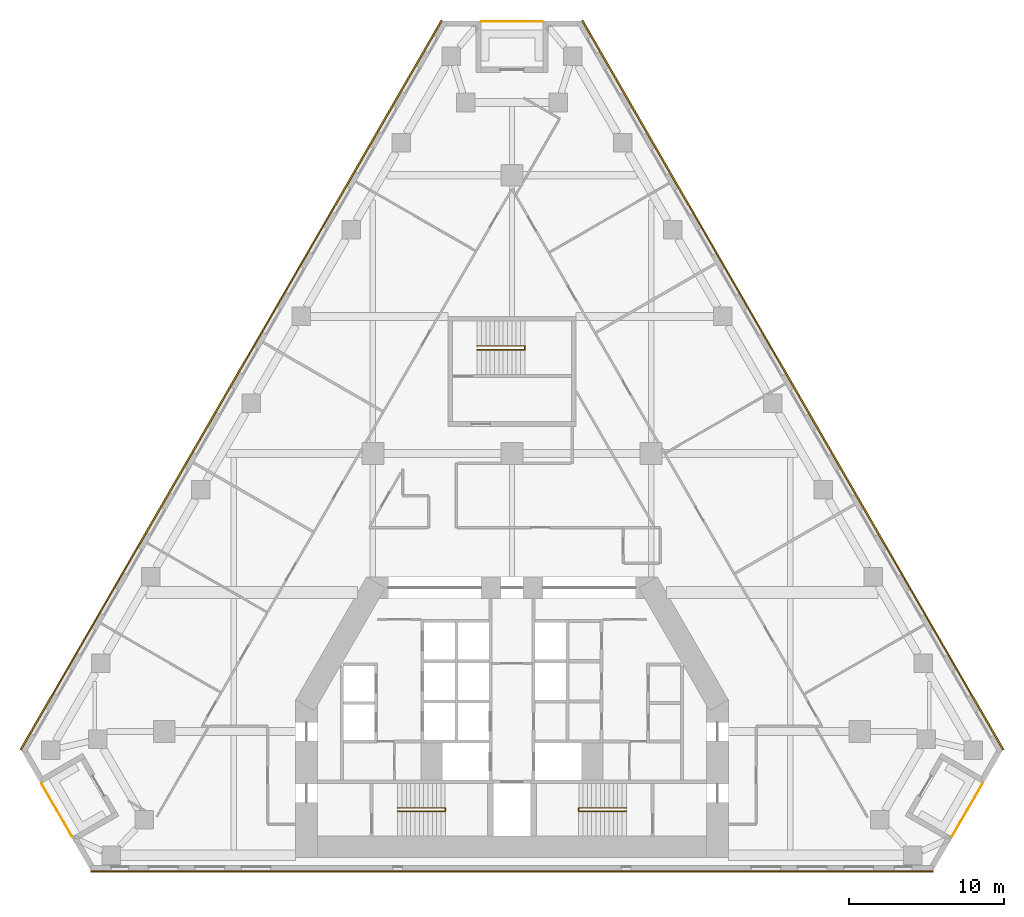
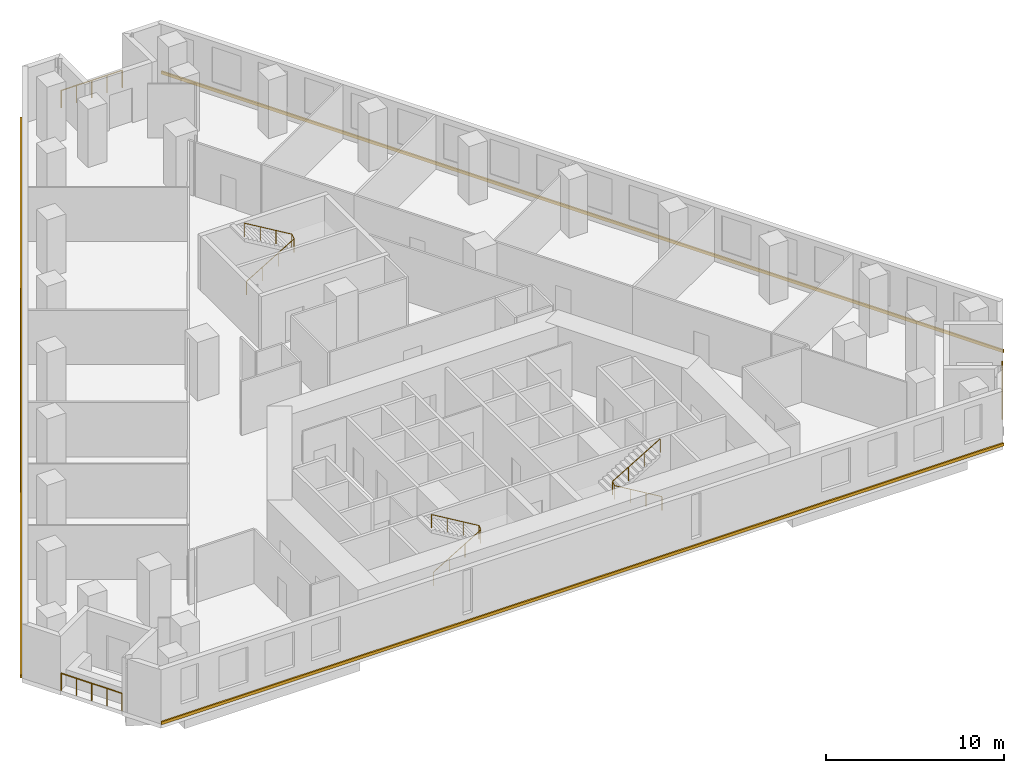
# One storey, part 11 of 11: 6 railings, 3 coverings.
"""IFC4 building model written with IfcOpenShell, lengths in metres."""

import ifcopenshell
import ifcopenshell.guid

model = None  # the IFC model being written
_history = None  # IfcOwnerHistory: only IFC2X3 demands one
_inside = {}  # id of a spatial element -> (the spatial element, [elements in it])
_under = {}  # id of a project, library or spatial element -> (it, [spatial elements below it])
_declared = {}  # id of a project -> (the project, [libraries it declares])
_typed = {}  # id of a type object -> (the type object, [elements of that type])
_made_of = {}  # id of a material, layer set ... -> (it, [elements and type objects made of it])


def new_model(schema):
    """Start an empty IFC model of exactly this schema.

    Asked for "IFC4X3", IfcOpenShell would pick the latest addendum, in which some entities
    have other attributes; the version numbers below select the first issue.
    IFC2X3 requires an IfcOwnerHistory on every rooted entity: one is made here for all.
    """
    global model, _history
    if schema == "IFC4X3":
        model = ifcopenshell.file(schema_version=(4, 3, 0, 0))
    else:
        model = ifcopenshell.file(schema=schema)
    _inside.clear()
    _under.clear()
    _declared.clear()
    _typed.clear()
    _made_of.clear()
    _history = None
    if model.schema == "IFC2X3":
        org = make("IfcOrganization", Name="unknown")
        user = make(
            "IfcPersonAndOrganization",
            ThePerson=make("IfcPerson", FamilyName="unknown"),
            TheOrganization=org,
        )
        app = make(
            "IfcApplication",
            ApplicationDeveloper=org,
            Version="unknown",
            ApplicationFullName="unknown",
            ApplicationIdentifier="unknown",
        )
        _history = make(
            "IfcOwnerHistory",
            OwningUser=user,
            OwningApplication=app,
            ChangeAction="ADDED",
            CreationDate=0,
        )
    return model


def make(cls, **values):
    """One entity of the class cls with the attributes given. An attribute that is None is left unset."""
    return model.create_entity(
        cls, **{name: value for name, value in values.items() if value is not None}
    )


def rooted(cls, **values):
    """An entity with a GlobalId (a new one), such as an element, a storey or a relation."""
    return make(cls, GlobalId=ifcopenshell.guid.new(), OwnerHistory=_history, **values)


def si_unit(unit_type, name, prefix=None):
    """IfcSIUnit, for example si_unit("LENGTHUNIT", "METRE", prefix="MILLI")."""
    return make("IfcSIUnit", UnitType=unit_type, Prefix=prefix, Name=name)


def assignment(units):
    """IfcUnitAssignment: the units of a project."""
    return None if units is None else make("IfcUnitAssignment", Units=units)


def point(xyz):
    """IfcCartesianPoint."""
    return None if xyz is None else make("IfcCartesianPoint", Coordinates=xyz)


def direction(xyz):
    """IfcDirection."""
    return None if xyz is None else make("IfcDirection", DirectionRatios=xyz)


def frame(location, z_axis=None, x_axis=None):
    """IfcAxis2Placement3D, a coordinate frame: its origin and axes. An axis left out is left unset."""
    return make(
        "IfcAxis2Placement3D",
        Location=point(location),
        Axis=direction(z_axis),
        RefDirection=direction(x_axis),
    )


def frame_2d(location, x_axis=None):
    """IfcAxis2Placement2D, a coordinate frame in the plane: its origin and x axis."""
    return make(
        "IfcAxis2Placement2D", Location=point(location), RefDirection=direction(x_axis)
    )


def origin():
    """The frame at (0, 0, 0) with its axes left unset."""
    return frame((0.0, 0.0, 0.0))


def origin_2d():
    """The frame at (0, 0) in the plane with its x axis left unset."""
    return frame_2d((0.0, 0.0))


def place(relative_to, where):
    """IfcLocalPlacement: puts the frame where relative to a parent placement (None: the world)."""
    return make(
        "IfcLocalPlacement", PlacementRelTo=relative_to, RelativePlacement=where
    )


def context(
    kind, dimensions, precision=None, world=None, true_north=None, identifier=None
):
    """IfcGeometricRepresentationContext, for example the 3D "Model" context."""
    return make(
        "IfcGeometricRepresentationContext",
        ContextIdentifier=identifier,
        ContextType=kind,
        CoordinateSpaceDimension=dimensions,
        Precision=precision,
        WorldCoordinateSystem=world,
        TrueNorth=true_north,
    )


def subcontext(parent, identifier, kind, view, scale=None):
    """IfcGeometricRepresentationSubContext, for example "Body" below "Model"."""
    return make(
        "IfcGeometricRepresentationSubContext",
        ContextIdentifier=identifier,
        ContextType=kind,
        ParentContext=parent,
        TargetScale=scale,
        TargetView=view,
    )


def project(units=None, contexts=None):
    """IfcProject with its units and contexts."""
    return rooted(
        "IfcProject",
        Name="project",
        RepresentationContexts=contexts,
        UnitsInContext=assignment(units),
    )


def spatial(cls, under=None, at=None, **own):
    """A site, building, storey or space (cls), placed at a placement, below another one or the project."""
    s = rooted(cls, ObjectPlacement=at, **own)
    if under is not None:
        _under.setdefault(under.id(), (under, []))[1].append(s)
    return s


def polyline(points):
    """IfcPolyline through the points."""
    return make("IfcPolyline", Points=[point(p) for p in points])


def profile(cls, at=None, kind="AREA", **sizes):
    """A parametric profile (cls). Its sizes go by their IFC names, for example OverallWidth=200.0."""
    return make(cls, ProfileType=kind, Position=at, **sizes)


def circle(**sizes):
    """IfcCircleProfileDef."""
    return profile("IfcCircleProfileDef", **sizes)


def outline(outer, holes=None, kind="AREA"):
    """IfcArbitraryClosedProfileDef: a profile drawn as a closed curve; with holes, ...WithVoids."""
    if holes is None:
        return make("IfcArbitraryClosedProfileDef", ProfileType=kind, OuterCurve=outer)
    return make(
        "IfcArbitraryProfileDefWithVoids",
        ProfileType=kind,
        OuterCurve=outer,
        InnerCurves=holes,
    )


def extrude(swept, where, along, depth):
    """IfcExtrudedAreaSolid: the profile swept, set in the frame where, extruded along a direction by depth."""
    return make(
        "IfcExtrudedAreaSolid",
        SweptArea=swept,
        Position=where,
        ExtrudedDirection=direction(along),
        Depth=depth,
    )


def shape(context_of_items, identifier, shape_type, items):
    """IfcShapeRepresentation: the items that make up one representation, for example the "Body"."""
    return make(
        "IfcShapeRepresentation",
        ContextOfItems=context_of_items,
        RepresentationIdentifier=identifier,
        RepresentationType=shape_type,
        Items=items,
    )


def material(Name=None, Category=None):
    """IfcMaterial."""
    return make("IfcMaterial", Name=Name, Category=Category)


def made_of(thing, what):
    """Note that an element or type object is made of a material, layer set ...; save() writes the relation."""
    if what is not None:
        _made_of.setdefault(what.id(), (what, []))[1].append(thing)
    return thing


def type_object(cls, material=None, **own):
    """A type object (cls), such as IfcWallType, which elements share."""
    return made_of(rooted(cls, **own), material)


def element(
    cls,
    number,
    at=None,
    inside=None,
    cuts=None,
    type_object=None,
    material=None,
    context=None,
    identifier="Body",
    shape_type=None,
    held_by="IfcProductDefinitionShape",
    body=None,
    shapes=None,
    **own,
):
    """One element of the class cls, such as IfcWall. Its Tag is "e" and its number.

    at: its placement. inside: the storey or other place that contains it. cuts: it is an
    opening in that element (IfcRelVoidsElement). A single representation is given by context,
    identifier, shape_type and body (its items); several are given by shapes. held_by: the class
    of the entity that holds the representations. save() writes the other relations.
    """
    e = rooted(cls, Tag="e%d" % number, ObjectPlacement=at, **own)
    if body is not None:
        shapes = [shape(context, identifier, shape_type, body)]
    if shapes is not None:
        e.Representation = make(held_by, Representations=shapes)
    if inside is not None:
        _inside.setdefault(inside.id(), (inside, []))[1].append(e)
    if cuts is not None:
        rooted(
            "IfcRelVoidsElement", RelatingBuildingElement=cuts, RelatedOpeningElement=e
        )
    if type_object is not None:
        _typed.setdefault(type_object.id(), (type_object, []))[1].append(e)
    return made_of(e, material)


def aggregate(whole, parts):
    """IfcRelAggregates: a whole, such as a stair, and the parts it consists of."""
    return rooted("IfcRelAggregates", RelatingObject=whole, RelatedObjects=parts)


def save(model, path):
    """Write the relations noted so far, then the file.

    IfcRelAggregates (storeys below a building ...), IfcRelContainedInSpatialStructure (elements
    in a storey), IfcRelDefinesByType, IfcRelAssociatesMaterial and IfcRelDeclares: one each for
    every whole, place, type object, material and project.
    """
    for whole, parts in _under.values():
        aggregate(whole, parts)
    for where, things in _inside.values():
        rooted(
            "IfcRelContainedInSpatialStructure",
            RelatedElements=things,
            RelatingStructure=where,
        )
    for kind, things in _typed.values():
        rooted("IfcRelDefinesByType", RelatedObjects=things, RelatingType=kind)
    for what, things in _made_of.values():
        rooted("IfcRelAssociatesMaterial", RelatedObjects=things, RelatingMaterial=what)
    for by, libraries in _declared.values():
        rooted("IfcRelDeclares", RelatingContext=by, RelatedDefinitions=libraries)
    model.write(path)


model = new_model("IFC4")

# Units and contexts
model_context = context("Model", 3, precision=1e-05, world=origin(), true_north=direction((0.0, 1.0)))
body_context = subcontext(model_context, "Body", "Model", "MODEL_VIEW")
ifc_project = project(units=[si_unit("LENGTHUNIT", "METRE"), si_unit("AREAUNIT", "SQUARE_METRE"), si_unit("VOLUMEUNIT", "CUBIC_METRE"), si_unit("PLANEANGLEUNIT", "RADIAN"), si_unit("MASSUNIT", "GRAM", prefix="KILO")], contexts=[model_context])

# Site, building, storey
site_placement = place(None, origin())
site = spatial("IfcSite", under=ifc_project, at=site_placement, CompositionType="ELEMENT")
building_placement = place(site_placement, origin())
building = spatial("IfcBuilding", under=site, at=building_placement, Name="Fogline Exchange Tower", CompositionType="ELEMENT")
storey_placement = place(building_placement, frame((0.0, 0.0, 56.89990234375)))
storey = spatial("IfcBuildingStorey", under=building, at=storey_placement, Name="L11", CompositionType="ELEMENT", Elevation=56.89990234375)

# Railings
ifc_material_1 = material(Name="Stainless steel 304", Category="steel")
railing_type_1 = type_object("IfcRailingType", Name="G1", PredefinedType="GUARDRAIL", material=ifc_material_1)
railing_1_placement = place(storey_placement, frame((-30.451416015625, 5.635986328125, 0.0)))
element("IfcRailing", 1, at=railing_1_placement, inside=storey, type_object=railing_type_1, Name="Balcony guard L11 SW", PredefinedType="GUARDRAIL", context=body_context, shape_type="SweptSolid", body=[
    extrude(circle(Radius=0.02392578125, at=origin_2d()), frame((0.0, 0.0, 1.17578125), z_axis=(0.500000102728, -0.866025344474, 0.0), x_axis=(0.866025344474, 0.500000102728, 0.0)), (0.0, 0.0, 1.0), 3.9580078125),
    extrude(circle(Radius=0.02099609375, at=origin_2d()), origin(), (0.0, 0.0, 1.0), 1.15185546875),
    extrude(circle(Radius=0.02099609375, at=origin_2d()), frame((0.49462890625, -0.85693359375, 0.0)), (0.0, 0.0, 1.0), 1.15185546875),
    extrude(circle(Radius=0.02099609375, at=origin_2d()), frame((0.989501953125, -1.7138671875, 0.0)), (0.0, 0.0, 1.0), 1.15185546875),
    extrude(circle(Radius=0.02099609375, at=origin_2d()), frame((1.484375, -2.57080078125, 0.0)), (0.0, 0.0, 1.0), 1.15185546875),
    extrude(circle(Radius=0.02099609375, at=origin_2d()), frame((1.97900390625, -3.427734375, 0.0)), (0.0, 0.0, 1.0), 1.15185546875),
])
railing_2_placement = place(storey_placement, frame((28.472412109375, 2.208251953125, 0.0)))
element("IfcRailing", 2, at=railing_2_placement, inside=storey, type_object=railing_type_1, Name="Balcony guard L11 SE", PredefinedType="GUARDRAIL", context=body_context, shape_type="SweptSolid", body=[
    extrude(circle(Radius=0.02392578125, at=origin_2d()), frame((0.0, 0.0, 1.17578125), z_axis=(0.500000102728, 0.866025344474, 0.0), x_axis=(-0.866025344474, 0.500000102728, 0.0)), (0.0, 0.0, 1.0), 3.9580078125),
    extrude(circle(Radius=0.02099609375, at=origin_2d()), origin(), (0.0, 0.0, 1.0), 1.15185546875),
    extrude(circle(Radius=0.02099609375, at=origin_2d()), frame((0.49462890625, 0.85693359375, 0.0)), (0.0, 0.0, 1.0), 1.15185546875),
    extrude(circle(Radius=0.02099609375, at=origin_2d()), frame((0.989501953125, 1.7138671875, 0.0)), (0.0, 0.0, 1.0), 1.15185546875),
    extrude(circle(Radius=0.02099609375, at=origin_2d()), frame((1.484375, 2.57080078125, 0.0)), (0.0, 0.0, 1.0), 1.15185546875),
    extrude(circle(Radius=0.02099609375, at=origin_2d()), frame((1.97900390625, 3.427734375, 0.0)), (0.0, 0.0, 1.0), 1.15185546875),
])
railing_3_placement = place(storey_placement, frame((1.97900390625, 54.95166015625, 0.0)))
element("IfcRailing", 3, at=railing_3_placement, inside=storey, type_object=railing_type_1, Name="Balcony guard L11 N", PredefinedType="GUARDRAIL", context=body_context, shape_type="SweptSolid", body=[
    extrude(circle(Radius=0.02392578125, at=origin_2d()), frame((0.0, 0.0, 1.17578125), z_axis=(-1.0, 0.0, 0.0), x_axis=(0.0, -1.0, 0.0)), (0.0, 0.0, 1.0), 3.9580078125),
    extrude(circle(Radius=0.02099609375, at=origin_2d()), origin(), (0.0, 0.0, 1.0), 1.15185546875),
    extrude(circle(Radius=0.02099609375, at=origin_2d()), frame((-0.989501953125, 0.0, 0.0)), (0.0, 0.0, 1.0), 1.15185546875),
    extrude(circle(Radius=0.02099609375, at=origin_2d()), frame((-1.97900390625, 0.0, 0.0)), (0.0, 0.0, 1.0), 1.15185546875),
    extrude(circle(Radius=0.02099609375, at=origin_2d()), frame((-2.968505859375, 0.0, 0.0)), (0.0, 0.0, 1.0), 1.15185546875),
    extrude(circle(Radius=0.02099609375, at=origin_2d()), frame((-3.9580078125, 0.0, 0.0)), (0.0, 0.0, 1.0), 1.15185546875),
])
ifc_material_2 = material(Name="Steel Q235B", Category="steel")
railing_type_2 = type_object("IfcRailingType", Name="RL-HR", PredefinedType="HANDRAIL", material=ifc_material_2)
railing_4_placement = place(storey_placement, frame((-7.39990234375, 3.85009765625, 0.166748046875)))
element("IfcRailing", 4, at=railing_4_placement, inside=storey, type_object=railing_type_2, Name="Handrail ST1", PredefinedType="HANDRAIL", context=body_context, shape_type="SweptSolid", body=[
    extrude(circle(Radius=0.02392578125, at=origin_2d()), frame((0.0, 0.0, 0.92578125), z_axis=(0.859290745958, 0.0, 0.51148745235), x_axis=(0.0, 1.0, 0.0)), (0.0, 0.0, 1.0), 3.584228515625),
    extrude(circle(Radius=0.02392578125, at=origin_2d()), frame((3.079833984375, 0.0, 2.75927734375), z_axis=(0.0, 0.767990643491, 0.640461061666), x_axis=(-1.0, 0.0, 0.0)), (0.0, 0.0, 1.0), 0.26025390625),
    extrude(circle(Radius=0.02392578125, at=origin_2d()), frame((3.079833984375, 0.199951171875, 2.92578125), z_axis=(-0.859290745958, 0.0, 0.51148745235), x_axis=(0.0, -1.0, 0.0)), (0.0, 0.0, 1.0), 3.584228515625),
    extrude(circle(Radius=0.02099609375, at=origin_2d()), origin(), (0.0, 0.0, 1.0), 0.90185546875),
    extrude(circle(Radius=0.02099609375, at=origin_2d()), frame((1.026611328125, 0.0, 0.611083984375)), (0.0, 0.0, 1.0), 0.90185546875),
    extrude(circle(Radius=0.02099609375, at=origin_2d()), frame((2.05322265625, 0.0, 1.22216796875)), (0.0, 0.0, 1.0), 0.90185546875),
    extrude(circle(Radius=0.02099609375, at=origin_2d()), frame((3.079833984375, 0.0, 1.833251953125)), (0.0, 0.0, 1.0), 0.90185546875),
    extrude(circle(Radius=0.02099609375, at=origin_2d()), frame((3.079833984375, 0.199951171875, 2.0)), (0.0, 0.0, 1.0), 0.90185546875),
    extrude(circle(Radius=0.02099609375, at=origin_2d()), frame((2.05322265625, 0.199951171875, 2.611083984375)), (0.0, 0.0, 1.0), 0.90185546875),
    extrude(circle(Radius=0.02099609375, at=origin_2d()), frame((1.026611328125, 0.199951171875, 3.22216796875)), (0.0, 0.0, 1.0), 0.90185546875),
    extrude(circle(Radius=0.02099609375, at=origin_2d()), frame((0.0, 0.199951171875, 3.833251953125)), (0.0, 0.0, 1.0), 0.90185546875),
])
railing_5_placement = place(storey_placement, frame((7.39990234375, 3.85009765625, 0.166748046875)))
element("IfcRailing", 5, at=railing_5_placement, inside=storey, type_object=railing_type_2, Name="Handrail ST2", PredefinedType="HANDRAIL", context=body_context, shape_type="SweptSolid", body=[
    extrude(circle(Radius=0.02392578125, at=origin_2d()), frame((0.0, 0.0, 0.92578125), z_axis=(-0.859290745958, 0.0, 0.51148745235), x_axis=(0.0, -1.0, 0.0)), (0.0, 0.0, 1.0), 3.584228515625),
    extrude(circle(Radius=0.02392578125, at=origin_2d()), frame((-3.079833984375, 0.0, 2.75927734375), z_axis=(0.0, 0.767990643491, 0.640461061666), x_axis=(-1.0, 0.0, 0.0)), (0.0, 0.0, 1.0), 0.26025390625),
    extrude(circle(Radius=0.02392578125, at=origin_2d()), frame((-3.079833984375, 0.199951171875, 2.92578125), z_axis=(0.859290745958, 0.0, 0.51148745235), x_axis=(0.0, 1.0, 0.0)), (0.0, 0.0, 1.0), 3.584228515625),
    extrude(circle(Radius=0.02099609375, at=origin_2d()), origin(), (0.0, 0.0, 1.0), 0.90185546875),
    extrude(circle(Radius=0.02099609375, at=origin_2d()), frame((-1.026611328125, 0.0, 0.611083984375)), (0.0, 0.0, 1.0), 0.90185546875),
    extrude(circle(Radius=0.02099609375, at=origin_2d()), frame((-2.05322265625, 0.0, 1.22216796875)), (0.0, 0.0, 1.0), 0.90185546875),
    extrude(circle(Radius=0.02099609375, at=origin_2d()), frame((-3.079833984375, 0.0, 1.833251953125)), (0.0, 0.0, 1.0), 0.90185546875),
    extrude(circle(Radius=0.02099609375, at=origin_2d()), frame((-3.079833984375, 0.199951171875, 2.0)), (0.0, 0.0, 1.0), 0.90185546875),
    extrude(circle(Radius=0.02099609375, at=origin_2d()), frame((-2.05322265625, 0.199951171875, 2.611083984375)), (0.0, 0.0, 1.0), 0.90185546875),
    extrude(circle(Radius=0.02099609375, at=origin_2d()), frame((-1.026611328125, 0.199951171875, 3.22216796875)), (0.0, 0.0, 1.0), 0.90185546875),
    extrude(circle(Radius=0.02099609375, at=origin_2d()), frame((0.0, 0.199951171875, 3.833251953125)), (0.0, 0.0, 1.0), 0.90185546875),
])
railing_6_placement = place(storey_placement, frame((-2.25, 33.70703125, 0.166748046875)))
element("IfcRailing", 6, at=railing_6_placement, inside=storey, type_object=railing_type_2, Name="Handrail ST3", PredefinedType="HANDRAIL", context=body_context, shape_type="SweptSolid", body=[
    extrude(circle(Radius=0.02392578125, at=origin_2d()), frame((0.0, 0.0, 0.92578125), z_axis=(0.859308565015, 0.0, 0.511457515432), x_axis=(0.0, 1.0, 0.0)), (0.0, 0.0, 1.0), 3.58447265625),
    extrude(circle(Radius=0.02392578125, at=origin_2d()), frame((3.080078125, 0.0, 2.75927734375), z_axis=(0.0, 0.831925284441, 0.554887665306), x_axis=(-1.0, 0.0, 0.0)), (0.0, 0.0, 1.0), 0.300537109375),
    extrude(circle(Radius=0.02392578125, at=origin_2d()), frame((3.080078125, 0.25, 2.92578125), z_axis=(-0.859308565015, 0.0, 0.511457515432), x_axis=(0.0, -1.0, 0.0)), (0.0, 0.0, 1.0), 3.58447265625),
    extrude(circle(Radius=0.02099609375, at=origin_2d()), origin(), (0.0, 0.0, 1.0), 0.90185546875),
    extrude(circle(Radius=0.02099609375, at=origin_2d()), frame((1.026611328125, 0.0, 0.611083984375)), (0.0, 0.0, 1.0), 0.90185546875),
    extrude(circle(Radius=0.02099609375, at=origin_2d()), frame((2.053466796875, 0.0, 1.22216796875)), (0.0, 0.0, 1.0), 0.90185546875),
    extrude(circle(Radius=0.02099609375, at=origin_2d()), frame((3.080078125, 0.0, 1.833251953125)), (0.0, 0.0, 1.0), 0.90185546875),
    extrude(circle(Radius=0.02099609375, at=origin_2d()), frame((3.080078125, 0.25, 2.0)), (0.0, 0.0, 1.0), 0.90185546875),
    extrude(circle(Radius=0.02099609375, at=origin_2d()), frame((2.053466796875, 0.25, 2.611083984375)), (0.0, 0.0, 1.0), 0.90185546875),
    extrude(circle(Radius=0.02099609375, at=origin_2d()), frame((1.026611328125, 0.25, 3.22216796875)), (0.0, 0.0, 1.0), 0.90185546875),
    extrude(circle(Radius=0.02099609375, at=origin_2d()), frame((0.0, 0.25, 3.833251953125)), (0.0, 0.0, 1.0), 0.90185546875),
])

# Coverings
ifc_material_3 = material(Name="Brick masonry", Category="masonry")
covering_type = type_object("IfcCoveringType", Name="SB1", PredefinedType="CLADDING", material=ifc_material_3)
covering_1_placement = place(storey_placement, origin())
element("IfcCovering", 7, at=covering_1_placement, inside=storey, type_object=covering_type, Name="Stringcourse band L11 S", PredefinedType="CLADDING", context=body_context, shape_type="SweptSolid", body=[
    extrude(outline(polyline([(-27.255126953125, 0.0), (-27.255126953125, -0.10009765625), (27.255126953125, -0.10009765625), (27.255126953125, 0.0), (-27.255126953125, 0.0)])), origin(), (0.0, 0.0, 1.0), 0.2001953125),
])
covering_2_placement = place(storey_placement, origin())
element("IfcCovering", 8, at=covering_2_placement, inside=storey, type_object=covering_type, Name="Stringcourse band L11 E", PredefinedType="CLADDING", context=body_context, shape_type="SweptSolid", body=[
    extrude(outline(polyline([(31.755126953125, 7.794189453125), (31.841796875, 7.84423828125), (4.586669921875, 55.0517578125), (4.5, 55.001708984375), (31.755126953125, 7.794189453125)])), origin(), (0.0, 0.0, 1.0), 0.2001953125),
])
covering_3_placement = place(storey_placement, origin())
element("IfcCovering", 9, at=covering_3_placement, inside=storey, type_object=covering_type, Name="Stringcourse band L11 W", PredefinedType="CLADDING", context=body_context, shape_type="SweptSolid", body=[
    extrude(outline(polyline([(-4.5, 55.001708984375), (-4.586669921875, 55.0517578125), (-31.841796875, 7.84423828125), (-31.755126953125, 7.794189453125), (-4.5, 55.001708984375)])), origin(), (0.0, 0.0, 1.0), 0.2001953125),
])

save(model, "model.ifc")
